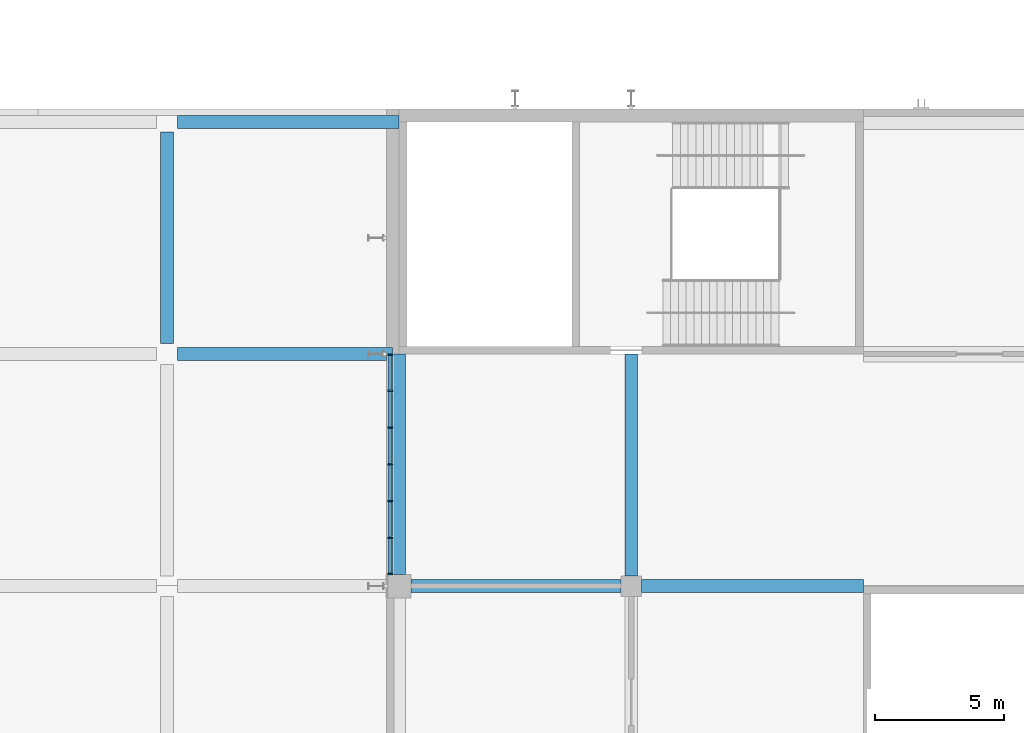
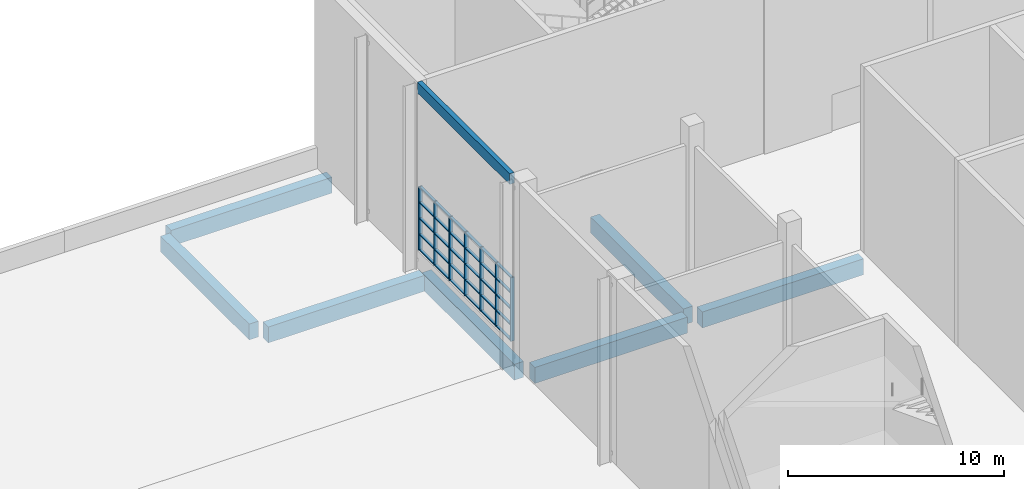
# One storey, part 56 of 182: 37 members, 8 beams, 1 element without a shape of its own.
"""IFC4 building model written with IfcOpenShell, lengths in metres."""

from ifc_helpers import new_model, si_unit, direction, frame, origin, origin_2d, place, context, subcontext, project, spatial, rectangle, extrude, material, material_profile, profile_set, type_object, element, aggregate, save


model = new_model("IFC4")

# Units and contexts
model_context = context("Model", 3, precision=1e-05, world=origin(), true_north=direction((0.0, 1.0)))
body_context = subcontext(model_context, "Body", "Model", "MODEL_VIEW")
ifc_project = project(units=[si_unit("LENGTHUNIT", "METRE"), si_unit("AREAUNIT", "SQUARE_METRE"), si_unit("VOLUMEUNIT", "CUBIC_METRE"), si_unit("PLANEANGLEUNIT", "RADIAN"), si_unit("MASSUNIT", "GRAM", prefix="KILO")], contexts=[model_context])

# Site, building, storey
site_placement = place(None, origin())
site = spatial("IfcSite", under=ifc_project, at=site_placement, CompositionType="ELEMENT")
building_placement = place(site_placement, origin())
building = spatial("IfcBuilding", under=site, at=building_placement, Name="Silverbay Arena", CompositionType="ELEMENT")
storey_placement = place(building_placement, frame((0.0, 0.0, 11.5)))
storey = spatial("IfcBuildingStorey", under=building, at=storey_placement, Name="L02", CompositionType="ELEMENT", Elevation=11.5)

# Curtain wall, members
ifc_material_1 = material(Name="Aluminium framed curtain wall", Category="aluminium")
curtain_wall_type = type_object("IfcCurtainWallType", Name="Curtain wall 8550 x 3600", PredefinedType="NOTDEFINED", material=ifc_material_1)
curtain_wall_placement = place(storey_placement, origin())
curtain_wall = element("IfcCurtainWall", 1, at=curtain_wall_placement, inside=storey, type_object=curtain_wall_type, Name="West curtain wall L02 bay 13", PredefinedType="NOTDEFINED")
ifc_material_2 = material(Name="Aluminium", Category="aluminium")
ifc_material_profile_1 = material_profile(ifc_material_2, rectangle(XDim=0.199951171875, YDim=0.06005859375, at=origin_2d()), Name="Mullion 60 x 200")
ifc_profile_set_1 = profile_set([ifc_material_profile_1], Name="Aluminium")
member_type_1 = type_object("IfcMemberType", Name="Mullion 60 x 200", PredefinedType="MULLION", material=ifc_profile_set_1)
member_1_placement = place(storey_placement, frame((53.64990234375, 134.969970703125, 1.0), z_axis=(0.0, 0.0, 1.0), x_axis=(1.0, 0.0, 0.0)))
member_1 = element("IfcMember", 2, at=member_1_placement, type_object=member_type_1, Name="CW10 mullion 1", PredefinedType="MULLION", context=body_context, shape_type="SweptSolid", body=[
    extrude(rectangle(XDim=0.199951171875, YDim=0.06005859375, at=origin_2d()), origin(), (0.0, 0.0, 1.0), 3.60009765625),
])
member_2_placement = place(storey_placement, frame((53.64990234375, 133.574951171875, 1.0), z_axis=(0.0, 0.0, 1.0), x_axis=(1.0, 0.0, 0.0)))
member_2 = element("IfcMember", 3, at=member_2_placement, type_object=member_type_1, Name="CW10 mullion 2", PredefinedType="MULLION", context=body_context, shape_type="SweptSolid", body=[
    extrude(rectangle(XDim=0.199951171875, YDim=0.06005859375, at=origin_2d()), origin(), (0.0, 0.0, 1.0), 3.60009765625),
])
member_3_placement = place(storey_placement, frame((53.64990234375, 132.14990234375, 1.0), z_axis=(0.0, 0.0, 1.0), x_axis=(1.0, 0.0, 0.0)))
member_3 = element("IfcMember", 4, at=member_3_placement, type_object=member_type_1, Name="CW10 mullion 3", PredefinedType="MULLION", context=body_context, shape_type="SweptSolid", body=[
    extrude(rectangle(XDim=0.199951171875, YDim=0.06005859375, at=origin_2d()), origin(), (0.0, 0.0, 1.0), 3.60009765625),
])
member_4_placement = place(storey_placement, frame((53.64990234375, 130.72509765625, 1.0), z_axis=(0.0, 0.0, 1.0), x_axis=(1.0, 0.0, 0.0)))
member_4 = element("IfcMember", 5, at=member_4_placement, type_object=member_type_1, Name="CW10 mullion 4", PredefinedType="MULLION", context=body_context, shape_type="SweptSolid", body=[
    extrude(rectangle(XDim=0.199951171875, YDim=0.06005859375, at=origin_2d()), origin(), (0.0, 0.0, 1.0), 3.60009765625),
])
member_5_placement = place(storey_placement, frame((53.64990234375, 129.300048828125, 1.0), z_axis=(0.0, 0.0, 1.0), x_axis=(1.0, 0.0, 0.0)))
member_5 = element("IfcMember", 6, at=member_5_placement, type_object=member_type_1, Name="CW10 mullion 5", PredefinedType="MULLION", context=body_context, shape_type="SweptSolid", body=[
    extrude(rectangle(XDim=0.199951171875, YDim=0.06005859375, at=origin_2d()), origin(), (0.0, 0.0, 1.0), 3.60009765625),
])
member_6_placement = place(storey_placement, frame((53.64990234375, 127.875, 1.0), z_axis=(0.0, 0.0, 1.0), x_axis=(1.0, 0.0, 0.0)))
member_6 = element("IfcMember", 7, at=member_6_placement, type_object=member_type_1, Name="CW10 mullion 6", PredefinedType="MULLION", context=body_context, shape_type="SweptSolid", body=[
    extrude(rectangle(XDim=0.199951171875, YDim=0.06005859375, at=origin_2d()), origin(), (0.0, 0.0, 1.0), 3.60009765625),
])
member_7_placement = place(storey_placement, frame((53.64990234375, 126.47998046875, 1.0), z_axis=(0.0, 0.0, 1.0), x_axis=(1.0, 0.0, 0.0)))
member_7 = element("IfcMember", 8, at=member_7_placement, type_object=member_type_1, Name="CW10 mullion 7", PredefinedType="MULLION", context=body_context, shape_type="SweptSolid", body=[
    extrude(rectangle(XDim=0.199951171875, YDim=0.06005859375, at=origin_2d()), origin(), (0.0, 0.0, 1.0), 3.60009765625),
])

# Beams
ifc_material_3 = material(Name="Concrete Grade C45", Category="concrete")
ifc_material_profile_2 = material_profile(ifc_material_3, rectangle(XDim=0.5, YDim=0.89990234375, at=origin_2d()), Name="RC 500x900")
ifc_profile_set_2 = profile_set([ifc_material_profile_2], Name="Concrete Grade C45")
beam_type_1 = type_object("IfcBeamType", Name="RC beam 500x900", PredefinedType="BEAM", material=ifc_profile_set_2)
beam_1_placement = place(storey_placement, frame((54.449951171875, 126.0, -0.800048828125), z_axis=(1.0, 0.0, 0.0), x_axis=(0.0, 1.0, 0.0)))
element("IfcBeam", 9, at=beam_1_placement, inside=storey, type_object=beam_type_1, Name="Floor beam L02 157", PredefinedType="BEAM", context=body_context, shape_type="SweptSolid", body=[
    extrude(rectangle(XDim=0.5, YDim=0.89990234375, at=origin_2d()), origin(), (0.0, 0.0, 1.0), 8.150146484375),
])
beam_2_placement = place(storey_placement, frame((63.39990234375, 126.0, -0.800048828125), z_axis=(1.0, 0.0, 0.0), x_axis=(0.0, 1.0, 0.0)))
element("IfcBeam", 10, at=beam_2_placement, inside=storey, type_object=beam_type_1, Name="Floor beam L02 158", PredefinedType="BEAM", context=body_context, shape_type="SweptSolid", body=[
    extrude(rectangle(XDim=0.5, YDim=0.89990234375, at=origin_2d()), origin(), (0.0, 0.0, 1.0), 8.60009765625),
])
beam_3_placement = place(storey_placement, frame((45.39990234375, 135.0, -0.800048828125), z_axis=(1.0, 0.0, 0.0), x_axis=(0.0, 1.0, 0.0)))
element("IfcBeam", 11, at=beam_3_placement, inside=storey, type_object=beam_type_1, Name="Floor beam L02 164", PredefinedType="BEAM", context=body_context, shape_type="SweptSolid", body=[
    extrude(rectangle(XDim=0.5, YDim=0.89990234375, at=origin_2d()), origin(), (0.0, 0.0, 1.0), 8.35009765625),
])
beam_4_placement = place(storey_placement, frame((45.39990234375, 144.0, -0.800048828125), z_axis=(1.0, 0.0, 0.0), x_axis=(0.0, 1.0, 0.0)))
element("IfcBeam", 12, at=beam_4_placement, inside=storey, type_object=beam_type_1, Name="Floor beam L02 173", PredefinedType="BEAM", context=body_context, shape_type="SweptSolid", body=[
    extrude(rectangle(XDim=0.5, YDim=0.89990234375, at=origin_2d()), origin(), (0.0, 0.0, 1.0), 8.60009765625),
])
beam_5_placement = place(storey_placement, frame((45.0, 135.39990234375, -0.800048828125), z_axis=(0.0, 1.0, 0.0), x_axis=(-1.0, 0.0, 0.0)))
element("IfcBeam", 13, at=beam_5_placement, inside=storey, type_object=beam_type_1, Name="Floor beam L02 214", PredefinedType="BEAM", context=body_context, shape_type="SweptSolid", body=[
    extrude(rectangle(XDim=0.5, YDim=0.89990234375, at=origin_2d()), origin(), (0.0, 0.0, 1.0), 8.2001953125),
])
beam_6_placement = place(storey_placement, frame((54.0, 126.449951171875, -0.800048828125), z_axis=(0.0, 1.0, 0.0), x_axis=(-1.0, 0.0, 0.0)))
element("IfcBeam", 14, at=beam_6_placement, inside=storey, type_object=beam_type_1, Name="Floor beam L02 222", PredefinedType="BEAM", context=body_context, shape_type="SweptSolid", body=[
    extrude(rectangle(XDim=0.5, YDim=0.89990234375, at=origin_2d()), origin(), (0.0, 0.0, 1.0), 8.550048828125),
])
beam_7_placement = place(storey_placement, frame((63.0, 126.39990234375, -0.800048828125), z_axis=(0.0, 1.0, 0.0), x_axis=(-1.0, 0.0, 0.0)))
element("IfcBeam", 15, at=beam_7_placement, inside=storey, type_object=beam_type_1, Name="Floor beam L02 230", PredefinedType="BEAM", context=body_context, shape_type="SweptSolid", body=[
    extrude(rectangle(XDim=0.5, YDim=0.89990234375, at=origin_2d()), origin(), (0.0, 0.0, 1.0), 8.60009765625),
])
ifc_material_4 = material(Name="Concrete Grade C45", Category="concrete")
ifc_material_profile_3 = material_profile(ifc_material_4, rectangle(XDim=0.25, YDim=0.60009765625, at=origin_2d()), Name="RC 250x600")
ifc_profile_set_3 = profile_set([ifc_material_profile_3], Name="Concrete Grade C45")
beam_type_2 = type_object("IfcBeamType", Name="RC facade beam 250x600", PredefinedType="SPANDREL", material=ifc_profile_set_3)
beam_8_placement = place(storey_placement, frame((53.625, 126.449951171875, 10.199951171875), z_axis=(0.0, 1.0, 0.0), x_axis=(-1.0, 0.0, 0.0)))
element("IfcBeam", 16, at=beam_8_placement, inside=storey, type_object=beam_type_2, Name="Facade beam L02 west", PredefinedType="SPANDREL", context=body_context, shape_type="SweptSolid", body=[
    extrude(rectangle(XDim=0.25, YDim=0.60009765625, at=origin_2d()), origin(), (0.0, 0.0, 1.0), 8.550048828125),
])

# Member
ifc_material_5 = material(Name="Aluminium", Category="aluminium")
ifc_material_profile_4 = material_profile(ifc_material_5, rectangle(XDim=0.14990234375, YDim=0.050048828125, at=origin_2d()), Name="Transom 50 x 150")
ifc_profile_set_4 = profile_set([ifc_material_profile_4], Name="Aluminium")
member_type_2 = type_object("IfcMemberType", Name="Transom 50 x 150", PredefinedType="USERDEFINED", material=ifc_profile_set_4)
member_8_placement = place(storey_placement, frame((53.64990234375, 134.93994140625, 1.02490234375), z_axis=(0.0, -1.0, 0.0), x_axis=(1.0, 0.0, 0.0)))
member_8 = element("IfcMember", 17, at=member_8_placement, type_object=member_type_2, Name="CW10 transom 1.1", ObjectType="TRANSOM", PredefinedType="USERDEFINED", context=body_context, shape_type="SweptSolid", body=[
    extrude(rectangle(XDim=0.14990234375, YDim=0.050048828125, at=origin_2d()), origin(), (0.0, 0.0, 1.0), 1.3349609375),
])

member_9_placement = place(storey_placement, frame((53.64990234375, 134.93994140625, 1.89990234375), z_axis=(0.0, -1.0, 0.0), x_axis=(1.0, 0.0, 0.0)))
member_9 = element("IfcMember", 18, at=member_9_placement, type_object=member_type_2, Name="CW10 transom 1.2", ObjectType="TRANSOM", PredefinedType="USERDEFINED", context=body_context, shape_type="SweptSolid", body=[
    extrude(rectangle(XDim=0.14990234375, YDim=0.050048828125, at=origin_2d()), origin(), (0.0, 0.0, 1.0), 1.3349609375),
])

member_10_placement = place(storey_placement, frame((53.64990234375, 134.93994140625, 2.800048828125), z_axis=(0.0, -1.0, 0.0), x_axis=(1.0, 0.0, 0.0)))
member_10 = element("IfcMember", 19, at=member_10_placement, type_object=member_type_2, Name="CW10 transom 1.3", ObjectType="TRANSOM", PredefinedType="USERDEFINED", context=body_context, shape_type="SweptSolid", body=[
    extrude(rectangle(XDim=0.14990234375, YDim=0.050048828125, at=origin_2d()), origin(), (0.0, 0.0, 1.0), 1.3349609375),
])

member_11_placement = place(storey_placement, frame((53.64990234375, 134.93994140625, 3.699951171875), z_axis=(0.0, -1.0, 0.0), x_axis=(1.0, 0.0, 0.0)))
member_11 = element("IfcMember", 20, at=member_11_placement, type_object=member_type_2, Name="CW10 transom 1.4", ObjectType="TRANSOM", PredefinedType="USERDEFINED", context=body_context, shape_type="SweptSolid", body=[
    extrude(rectangle(XDim=0.14990234375, YDim=0.050048828125, at=origin_2d()), origin(), (0.0, 0.0, 1.0), 1.3349609375),
])

member_12_placement = place(storey_placement, frame((53.64990234375, 134.93994140625, 4.574951171875), z_axis=(0.0, -1.0, 0.0), x_axis=(1.0, 0.0, 0.0)))
member_12 = element("IfcMember", 21, at=member_12_placement, type_object=member_type_2, Name="CW10 transom 1.5", ObjectType="TRANSOM", PredefinedType="USERDEFINED", context=body_context, shape_type="SweptSolid", body=[
    extrude(rectangle(XDim=0.14990234375, YDim=0.050048828125, at=origin_2d()), origin(), (0.0, 0.0, 1.0), 1.3349609375),
])

member_13_placement = place(storey_placement, frame((53.64990234375, 133.544921875, 1.02490234375), z_axis=(0.0, -1.0, 0.0), x_axis=(1.0, 0.0, 0.0)))
member_13 = element("IfcMember", 22, at=member_13_placement, type_object=member_type_2, Name="CW10 transom 2.1", ObjectType="TRANSOM", PredefinedType="USERDEFINED", context=body_context, shape_type="SweptSolid", body=[
    extrude(rectangle(XDim=0.14990234375, YDim=0.050048828125, at=origin_2d()), origin(), (0.0, 0.0, 1.0), 1.364990234375),
])

member_14_placement = place(storey_placement, frame((53.64990234375, 133.544921875, 1.89990234375), z_axis=(0.0, -1.0, 0.0), x_axis=(1.0, 0.0, 0.0)))
member_14 = element("IfcMember", 23, at=member_14_placement, type_object=member_type_2, Name="CW10 transom 2.2", ObjectType="TRANSOM", PredefinedType="USERDEFINED", context=body_context, shape_type="SweptSolid", body=[
    extrude(rectangle(XDim=0.14990234375, YDim=0.050048828125, at=origin_2d()), origin(), (0.0, 0.0, 1.0), 1.364990234375),
])

member_15_placement = place(storey_placement, frame((53.64990234375, 133.544921875, 2.800048828125), z_axis=(0.0, -1.0, 0.0), x_axis=(1.0, 0.0, 0.0)))
member_15 = element("IfcMember", 24, at=member_15_placement, type_object=member_type_2, Name="CW10 transom 2.3", ObjectType="TRANSOM", PredefinedType="USERDEFINED", context=body_context, shape_type="SweptSolid", body=[
    extrude(rectangle(XDim=0.14990234375, YDim=0.050048828125, at=origin_2d()), origin(), (0.0, 0.0, 1.0), 1.364990234375),
])

member_16_placement = place(storey_placement, frame((53.64990234375, 133.544921875, 3.699951171875), z_axis=(0.0, -1.0, 0.0), x_axis=(1.0, 0.0, 0.0)))
member_16 = element("IfcMember", 25, at=member_16_placement, type_object=member_type_2, Name="CW10 transom 2.4", ObjectType="TRANSOM", PredefinedType="USERDEFINED", context=body_context, shape_type="SweptSolid", body=[
    extrude(rectangle(XDim=0.14990234375, YDim=0.050048828125, at=origin_2d()), origin(), (0.0, 0.0, 1.0), 1.364990234375),
])

member_17_placement = place(storey_placement, frame((53.64990234375, 133.544921875, 4.574951171875), z_axis=(0.0, -1.0, 0.0), x_axis=(1.0, 0.0, 0.0)))
member_17 = element("IfcMember", 26, at=member_17_placement, type_object=member_type_2, Name="CW10 transom 2.5", ObjectType="TRANSOM", PredefinedType="USERDEFINED", context=body_context, shape_type="SweptSolid", body=[
    extrude(rectangle(XDim=0.14990234375, YDim=0.050048828125, at=origin_2d()), origin(), (0.0, 0.0, 1.0), 1.364990234375),
])

member_18_placement = place(storey_placement, frame((53.64990234375, 132.1201171875, 1.02490234375), z_axis=(0.0, -1.0, 0.0), x_axis=(1.0, 0.0, 0.0)))
member_18 = element("IfcMember", 27, at=member_18_placement, type_object=member_type_2, Name="CW10 transom 3.1", ObjectType="TRANSOM", PredefinedType="USERDEFINED", context=body_context, shape_type="SweptSolid", body=[
    extrude(rectangle(XDim=0.14990234375, YDim=0.050048828125, at=origin_2d()), origin(), (0.0, 0.0, 1.0), 1.365234375),
])

member_19_placement = place(storey_placement, frame((53.64990234375, 132.1201171875, 1.89990234375), z_axis=(0.0, -1.0, 0.0), x_axis=(1.0, 0.0, 0.0)))
member_19 = element("IfcMember", 28, at=member_19_placement, type_object=member_type_2, Name="CW10 transom 3.2", ObjectType="TRANSOM", PredefinedType="USERDEFINED", context=body_context, shape_type="SweptSolid", body=[
    extrude(rectangle(XDim=0.14990234375, YDim=0.050048828125, at=origin_2d()), origin(), (0.0, 0.0, 1.0), 1.365234375),
])

member_20_placement = place(storey_placement, frame((53.64990234375, 132.1201171875, 2.800048828125), z_axis=(0.0, -1.0, 0.0), x_axis=(1.0, 0.0, 0.0)))
member_20 = element("IfcMember", 29, at=member_20_placement, type_object=member_type_2, Name="CW10 transom 3.3", ObjectType="TRANSOM", PredefinedType="USERDEFINED", context=body_context, shape_type="SweptSolid", body=[
    extrude(rectangle(XDim=0.14990234375, YDim=0.050048828125, at=origin_2d()), origin(), (0.0, 0.0, 1.0), 1.365234375),
])

member_21_placement = place(storey_placement, frame((53.64990234375, 132.1201171875, 3.699951171875), z_axis=(0.0, -1.0, 0.0), x_axis=(1.0, 0.0, 0.0)))
member_21 = element("IfcMember", 30, at=member_21_placement, type_object=member_type_2, Name="CW10 transom 3.4", ObjectType="TRANSOM", PredefinedType="USERDEFINED", context=body_context, shape_type="SweptSolid", body=[
    extrude(rectangle(XDim=0.14990234375, YDim=0.050048828125, at=origin_2d()), origin(), (0.0, 0.0, 1.0), 1.365234375),
])

member_22_placement = place(storey_placement, frame((53.64990234375, 132.1201171875, 4.574951171875), z_axis=(0.0, -1.0, 0.0), x_axis=(1.0, 0.0, 0.0)))
member_22 = element("IfcMember", 31, at=member_22_placement, type_object=member_type_2, Name="CW10 transom 3.5", ObjectType="TRANSOM", PredefinedType="USERDEFINED", context=body_context, shape_type="SweptSolid", body=[
    extrude(rectangle(XDim=0.14990234375, YDim=0.050048828125, at=origin_2d()), origin(), (0.0, 0.0, 1.0), 1.365234375),
])

member_23_placement = place(storey_placement, frame((53.64990234375, 130.695068359375, 1.02490234375), z_axis=(0.0, -1.0, 0.0), x_axis=(1.0, 0.0, 0.0)))
member_23 = element("IfcMember", 32, at=member_23_placement, type_object=member_type_2, Name="CW10 transom 4.1", ObjectType="TRANSOM", PredefinedType="USERDEFINED", context=body_context, shape_type="SweptSolid", body=[
    extrude(rectangle(XDim=0.14990234375, YDim=0.050048828125, at=origin_2d()), origin(), (0.0, 0.0, 1.0), 1.364990234375),
])

member_24_placement = place(storey_placement, frame((53.64990234375, 130.695068359375, 1.89990234375), z_axis=(0.0, -1.0, 0.0), x_axis=(1.0, 0.0, 0.0)))
member_24 = element("IfcMember", 33, at=member_24_placement, type_object=member_type_2, Name="CW10 transom 4.2", ObjectType="TRANSOM", PredefinedType="USERDEFINED", context=body_context, shape_type="SweptSolid", body=[
    extrude(rectangle(XDim=0.14990234375, YDim=0.050048828125, at=origin_2d()), origin(), (0.0, 0.0, 1.0), 1.364990234375),
])

member_25_placement = place(storey_placement, frame((53.64990234375, 130.695068359375, 2.800048828125), z_axis=(0.0, -1.0, 0.0), x_axis=(1.0, 0.0, 0.0)))
member_25 = element("IfcMember", 34, at=member_25_placement, type_object=member_type_2, Name="CW10 transom 4.3", ObjectType="TRANSOM", PredefinedType="USERDEFINED", context=body_context, shape_type="SweptSolid", body=[
    extrude(rectangle(XDim=0.14990234375, YDim=0.050048828125, at=origin_2d()), origin(), (0.0, 0.0, 1.0), 1.364990234375),
])

member_26_placement = place(storey_placement, frame((53.64990234375, 130.695068359375, 3.699951171875), z_axis=(0.0, -1.0, 0.0), x_axis=(1.0, 0.0, 0.0)))
member_26 = element("IfcMember", 35, at=member_26_placement, type_object=member_type_2, Name="CW10 transom 4.4", ObjectType="TRANSOM", PredefinedType="USERDEFINED", context=body_context, shape_type="SweptSolid", body=[
    extrude(rectangle(XDim=0.14990234375, YDim=0.050048828125, at=origin_2d()), origin(), (0.0, 0.0, 1.0), 1.364990234375),
])

member_27_placement = place(storey_placement, frame((53.64990234375, 130.695068359375, 4.574951171875), z_axis=(0.0, -1.0, 0.0), x_axis=(1.0, 0.0, 0.0)))
member_27 = element("IfcMember", 36, at=member_27_placement, type_object=member_type_2, Name="CW10 transom 4.5", ObjectType="TRANSOM", PredefinedType="USERDEFINED", context=body_context, shape_type="SweptSolid", body=[
    extrude(rectangle(XDim=0.14990234375, YDim=0.050048828125, at=origin_2d()), origin(), (0.0, 0.0, 1.0), 1.364990234375),
])

member_28_placement = place(storey_placement, frame((53.64990234375, 129.27001953125, 1.02490234375), z_axis=(0.0, -1.0, 0.0), x_axis=(1.0, 0.0, 0.0)))
member_28 = element("IfcMember", 37, at=member_28_placement, type_object=member_type_2, Name="CW10 transom 5.1", ObjectType="TRANSOM", PredefinedType="USERDEFINED", context=body_context, shape_type="SweptSolid", body=[
    extrude(rectangle(XDim=0.14990234375, YDim=0.050048828125, at=origin_2d()), origin(), (0.0, 0.0, 1.0), 1.364990234375),
])

member_29_placement = place(storey_placement, frame((53.64990234375, 129.27001953125, 1.89990234375), z_axis=(0.0, -1.0, 0.0), x_axis=(1.0, 0.0, 0.0)))
member_29 = element("IfcMember", 38, at=member_29_placement, type_object=member_type_2, Name="CW10 transom 5.2", ObjectType="TRANSOM", PredefinedType="USERDEFINED", context=body_context, shape_type="SweptSolid", body=[
    extrude(rectangle(XDim=0.14990234375, YDim=0.050048828125, at=origin_2d()), origin(), (0.0, 0.0, 1.0), 1.364990234375),
])

member_30_placement = place(storey_placement, frame((53.64990234375, 129.27001953125, 2.800048828125), z_axis=(0.0, -1.0, 0.0), x_axis=(1.0, 0.0, 0.0)))
member_30 = element("IfcMember", 39, at=member_30_placement, type_object=member_type_2, Name="CW10 transom 5.3", ObjectType="TRANSOM", PredefinedType="USERDEFINED", context=body_context, shape_type="SweptSolid", body=[
    extrude(rectangle(XDim=0.14990234375, YDim=0.050048828125, at=origin_2d()), origin(), (0.0, 0.0, 1.0), 1.364990234375),
])

member_31_placement = place(storey_placement, frame((53.64990234375, 129.27001953125, 3.699951171875), z_axis=(0.0, -1.0, 0.0), x_axis=(1.0, 0.0, 0.0)))
member_31 = element("IfcMember", 40, at=member_31_placement, type_object=member_type_2, Name="CW10 transom 5.4", ObjectType="TRANSOM", PredefinedType="USERDEFINED", context=body_context, shape_type="SweptSolid", body=[
    extrude(rectangle(XDim=0.14990234375, YDim=0.050048828125, at=origin_2d()), origin(), (0.0, 0.0, 1.0), 1.364990234375),
])

member_32_placement = place(storey_placement, frame((53.64990234375, 129.27001953125, 4.574951171875), z_axis=(0.0, -1.0, 0.0), x_axis=(1.0, 0.0, 0.0)))
member_32 = element("IfcMember", 41, at=member_32_placement, type_object=member_type_2, Name="CW10 transom 5.5", ObjectType="TRANSOM", PredefinedType="USERDEFINED", context=body_context, shape_type="SweptSolid", body=[
    extrude(rectangle(XDim=0.14990234375, YDim=0.050048828125, at=origin_2d()), origin(), (0.0, 0.0, 1.0), 1.364990234375),
])

member_33_placement = place(storey_placement, frame((53.64990234375, 127.844970703125, 1.02490234375), z_axis=(0.0, -1.0, 0.0), x_axis=(1.0, 0.0, 0.0)))
member_33 = element("IfcMember", 42, at=member_33_placement, type_object=member_type_2, Name="CW10 transom 6.1", ObjectType="TRANSOM", PredefinedType="USERDEFINED", context=body_context, shape_type="SweptSolid", body=[
    extrude(rectangle(XDim=0.14990234375, YDim=0.050048828125, at=origin_2d()), origin(), (0.0, 0.0, 1.0), 1.3349609375),
])

member_34_placement = place(storey_placement, frame((53.64990234375, 127.844970703125, 1.89990234375), z_axis=(0.0, -1.0, 0.0), x_axis=(1.0, 0.0, 0.0)))
member_34 = element("IfcMember", 43, at=member_34_placement, type_object=member_type_2, Name="CW10 transom 6.2", ObjectType="TRANSOM", PredefinedType="USERDEFINED", context=body_context, shape_type="SweptSolid", body=[
    extrude(rectangle(XDim=0.14990234375, YDim=0.050048828125, at=origin_2d()), origin(), (0.0, 0.0, 1.0), 1.3349609375),
])

member_35_placement = place(storey_placement, frame((53.64990234375, 127.844970703125, 2.800048828125), z_axis=(0.0, -1.0, 0.0), x_axis=(1.0, 0.0, 0.0)))
member_35 = element("IfcMember", 44, at=member_35_placement, type_object=member_type_2, Name="CW10 transom 6.3", ObjectType="TRANSOM", PredefinedType="USERDEFINED", context=body_context, shape_type="SweptSolid", body=[
    extrude(rectangle(XDim=0.14990234375, YDim=0.050048828125, at=origin_2d()), origin(), (0.0, 0.0, 1.0), 1.3349609375),
])

member_36_placement = place(storey_placement, frame((53.64990234375, 127.844970703125, 3.699951171875), z_axis=(0.0, -1.0, 0.0), x_axis=(1.0, 0.0, 0.0)))
member_36 = element("IfcMember", 45, at=member_36_placement, type_object=member_type_2, Name="CW10 transom 6.4", ObjectType="TRANSOM", PredefinedType="USERDEFINED", context=body_context, shape_type="SweptSolid", body=[
    extrude(rectangle(XDim=0.14990234375, YDim=0.050048828125, at=origin_2d()), origin(), (0.0, 0.0, 1.0), 1.3349609375),
])

member_37_placement = place(storey_placement, frame((53.64990234375, 127.844970703125, 4.574951171875), z_axis=(0.0, -1.0, 0.0), x_axis=(1.0, 0.0, 0.0)))
member_37 = element("IfcMember", 46, at=member_37_placement, type_object=member_type_2, Name="CW10 transom 6.5", ObjectType="TRANSOM", PredefinedType="USERDEFINED", context=body_context, shape_type="SweptSolid", body=[
    extrude(rectangle(XDim=0.14990234375, YDim=0.050048828125, at=origin_2d()), origin(), (0.0, 0.0, 1.0), 1.3349609375),
])

aggregate(curtain_wall, [member_1, member_2, member_3, member_4, member_5, member_6, member_7, member_8, member_9, member_10, member_11, member_12, member_13, member_14, member_15, member_16, member_17, member_18, member_19, member_20, member_21, member_22, member_23, member_24, member_25, member_26, member_27, member_28, member_29, member_30, member_31, member_32, member_33, member_34, member_35, member_36, member_37])

save(model, "model.ifc")
